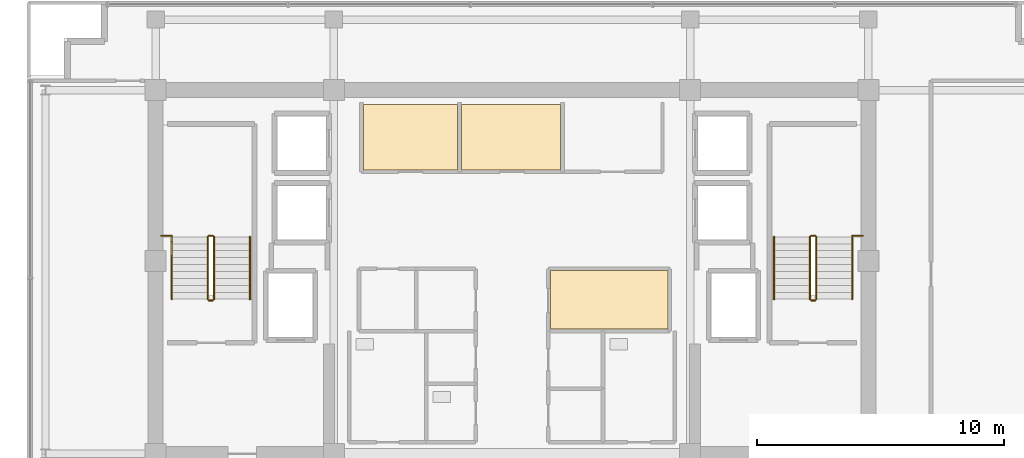
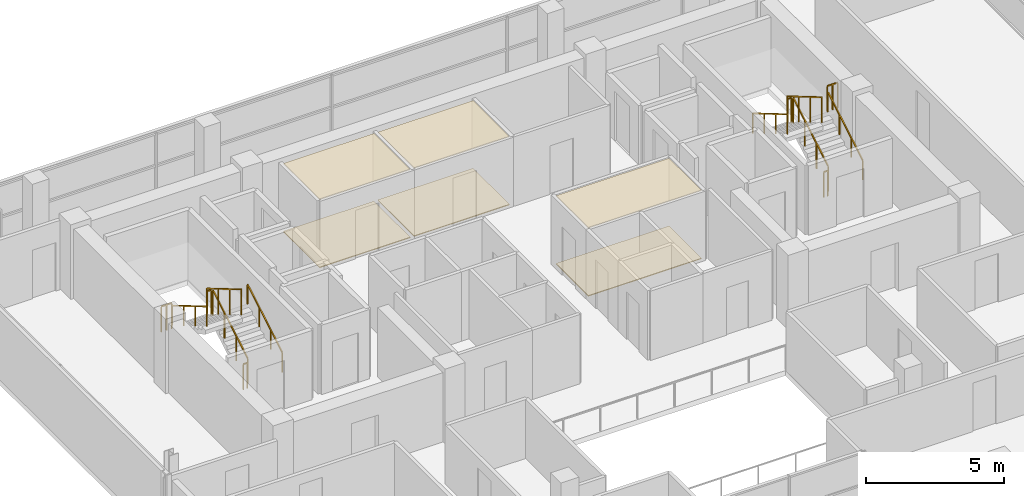
# One storey, part 20 of 21: 14 railings, 6 coverings.
"""IFC4 building model written with IfcOpenShell, lengths in metres."""

from ifc_helpers import new_model, si_unit, direction, frame, origin, origin_2d, place, context, subcontext, project, spatial, polyline, rectangle, outline, extrude, material, layer, layer_set, type_object, element, save


model = new_model("IFC4")

# Units and contexts
model_context = context("Model", 3, precision=1e-05, world=origin(), true_north=direction((0.0, 1.0)))
body_context = subcontext(model_context, "Body", "Model", "MODEL_VIEW")
ifc_project = project(units=[si_unit("LENGTHUNIT", "METRE"), si_unit("AREAUNIT", "SQUARE_METRE"), si_unit("VOLUMEUNIT", "CUBIC_METRE"), si_unit("PLANEANGLEUNIT", "RADIAN"), si_unit("MASSUNIT", "GRAM", prefix="KILO")], contexts=[model_context])

# Site, building, storey
site_placement = place(None, origin())
site = spatial("IfcSite", under=ifc_project, at=site_placement, CompositionType="ELEMENT")
building_placement = place(site_placement, origin())
building = spatial("IfcBuilding", under=site, at=building_placement, Name="Zarnakvel Exchange Tower", CompositionType="ELEMENT")
storey_placement = place(building_placement, frame((0.0, 0.0, 248.5)))
storey = spatial("IfcBuildingStorey", under=building, at=storey_placement, Name="L70", CompositionType="ELEMENT", Elevation=248.5)

# Coverings
ifc_material_1 = material(Name="Perforated Bronze Acoustic Metal Ceiling", Category="aluminium")
ifc_layer_1 = layer(ifc_material_1, 0.02001953125)
ifc_layer_set_1 = layer_set([ifc_layer_1], Name="Perforated Bronze Acoustic Metal Ceiling")
covering_type_1 = type_object("IfcCoveringType", Name="CLG-01", PredefinedType="CEILING", material=ifc_layer_set_1)
covering_1_placement = place(storey_placement, frame((0.0, 0.0, 3.014892578125)))
element("IfcCovering", 1, at=covering_1_placement, inside=storey, type_object=covering_type_1, Name="L70 Suspended Acoustic Ceiling (Clearing Records Office)", PredefinedType="CEILING", context=body_context, shape_type="SweptSolid", body=[
    extrude(outline(polyline([(-6.0, 12.919921875), (-2.199951171875, 12.919921875), (-2.199951171875, 10.280029296875), (-6.0, 10.280029296875), (-6.0, 12.919921875)])), origin(), (0.0, 0.0, 1.0), 0.02001953125),
])
covering_2_placement = place(storey_placement, frame((0.0, 0.0, 3.014892578125)))
element("IfcCovering", 2, at=covering_2_placement, inside=storey, type_object=covering_type_1, Name="L70 Suspended Acoustic Ceiling (Brokerage Filing Room)", PredefinedType="CEILING", context=body_context, shape_type="SweptSolid", body=[
    extrude(outline(polyline([(-2.0400390625, 12.919921875), (1.9599609375, 12.919921875), (1.9599609375, 10.280029296875), (-2.0400390625, 10.280029296875), (-2.0400390625, 12.919921875)])), origin(), (0.0, 0.0, 1.0), 0.02001953125),
])
covering_3_placement = place(storey_placement, frame((0.0, 0.0, 3.014892578125)))
element("IfcCovering", 3, at=covering_3_placement, inside=storey, type_object=covering_type_1, Name="L70 Suspended Acoustic Ceiling (Telemetry Server Suite)", PredefinedType="CEILING", context=body_context, shape_type="SweptSolid", body=[
    extrude(outline(polyline([(1.550048828125, 6.199951171875), (6.300048828125, 6.199951171875), (6.300048828125, 3.840087890625), (1.550048828125, 3.840087890625), (1.550048828125, 6.199951171875)])), origin(), (0.0, 0.0, 1.0), 0.02001953125),
])
ifc_material_2 = material(Name="Heavy-Duty Raised Access Floor Panel", Category="steel")
ifc_layer_2 = layer(ifc_material_2, 0.034912109375)
ifc_layer_set_2 = layer_set([ifc_layer_2], Name="Heavy-Duty Raised Access Floor Panel")
covering_type_2 = type_object("IfcCoveringType", Name="FLR-02", PredefinedType="FLOORING", material=ifc_layer_set_2)
covering_4_placement = place(storey_placement, origin())
element("IfcCovering", 4, at=covering_4_placement, inside=storey, type_object=covering_type_2, Name="L70 Floor Finish (Clearing Records Office)", PredefinedType="FLOORING", context=body_context, shape_type="SweptSolid", body=[
    extrude(outline(polyline([(-6.0, 12.919921875), (-2.199951171875, 12.919921875), (-2.199951171875, 10.280029296875), (-6.0, 10.280029296875), (-6.0, 12.919921875)])), origin(), (0.0, 0.0, 1.0), 0.034912109375),
])
covering_5_placement = place(storey_placement, origin())
element("IfcCovering", 5, at=covering_5_placement, inside=storey, type_object=covering_type_2, Name="L70 Floor Finish (Brokerage Filing Room)", PredefinedType="FLOORING", context=body_context, shape_type="SweptSolid", body=[
    extrude(outline(polyline([(-2.0400390625, 12.919921875), (1.9599609375, 12.919921875), (1.9599609375, 10.280029296875), (-2.0400390625, 10.280029296875), (-2.0400390625, 12.919921875)])), origin(), (0.0, 0.0, 1.0), 0.034912109375),
])
covering_6_placement = place(storey_placement, origin())
element("IfcCovering", 6, at=covering_6_placement, inside=storey, type_object=covering_type_2, Name="L70 Floor Finish (Telemetry Server Suite)", PredefinedType="FLOORING", context=body_context, shape_type="SweptSolid", body=[
    extrude(outline(polyline([(1.550048828125, 6.199951171875), (6.300048828125, 6.199951171875), (6.300048828125, 3.840087890625), (1.550048828125, 3.840087890625), (1.550048828125, 6.199951171875)])), origin(), (0.0, 0.0, 1.0), 0.034912109375),
])

# Railings
ifc_material_3 = material(Name="Brushed Stainless Steel", Category="steel")
railing_type_1 = type_object("IfcRailingType", Name="HR-01", PredefinedType="HANDRAIL", material=ifc_material_3)
railing_1_placement = place(storey_placement, frame((-10.590087890625, 5.050048828125, 0.1650390625)))
element("IfcRailing", 7, at=railing_1_placement, inside=storey, type_object=railing_type_1, Name="L70 ST-01 stair handrail 1", PredefinedType="HANDRAIL", context=body_context, shape_type="SweptSolid", body=[
    extrude(rectangle(XDim=0.048095703125, YDim=0.048095703125, at=origin_2d()), frame((0.0, 0.0, 0.8759765625), z_axis=(0.0, 0.861560626758, 0.507654692109), x_axis=(-1.0, 0.0, 0.0)), (0.0, 0.0, 1.0), 2.925048828125),
    extrude(rectangle(XDim=0.0419921875, YDim=0.0419921875, at=origin_2d()), origin(), (0.0, 0.0, 1.0), 0.851806640625),
    extrude(rectangle(XDim=0.0419921875, YDim=0.0419921875, at=origin_2d()), frame((0.0, 0.840087890625, 0.494873046875)), (0.0, 0.0, 1.0), 0.851806640625),
    extrude(rectangle(XDim=0.0419921875, YDim=0.0419921875, at=origin_2d()), frame((0.0, 1.679931640625, 0.989990234375)), (0.0, 0.0, 1.0), 0.851806640625),
    extrude(rectangle(XDim=0.0419921875, YDim=0.0419921875, at=origin_2d()), frame((0.0, 2.52001953125, 1.48486328125)), (0.0, 0.0, 1.0), 0.851806640625),
])
railing_2_placement = place(storey_placement, frame((-13.75, 7.570068359375, 1.81494140625)))
element("IfcRailing", 8, at=railing_2_placement, inside=storey, type_object=railing_type_1, Name="L70 ST-01 stair handrail 2", PredefinedType="HANDRAIL", context=body_context, shape_type="SweptSolid", body=[
    extrude(rectangle(XDim=0.048095703125, YDim=0.048095703125, at=origin_2d()), frame((0.0, 0.0, 0.8759765625), z_axis=(0.0, -0.86152411907, 0.507716645641), x_axis=(1.0, 0.0, 0.0)), (0.0, 0.0, 1.0), 2.925048828125),
    extrude(rectangle(XDim=0.0419921875, YDim=0.0419921875, at=origin_2d()), origin(), (0.0, 0.0, 1.0), 0.851806640625),
    extrude(rectangle(XDim=0.0419921875, YDim=0.0419921875, at=origin_2d()), frame((0.0, -0.840087890625, 0.4951171875)), (0.0, 0.0, 1.0), 0.851806640625),
    extrude(rectangle(XDim=0.0419921875, YDim=0.0419921875, at=origin_2d()), frame((0.0, -1.679931640625, 0.989990234375)), (0.0, 0.0, 1.0), 0.851806640625),
    extrude(rectangle(XDim=0.0419921875, YDim=0.0419921875, at=origin_2d()), frame((0.0, -2.52001953125, 1.485107421875)), (0.0, 0.0, 1.0), 0.851806640625),
])
railing_3_placement = place(storey_placement, frame((13.75, 5.050048828125, 0.1650390625)))
element("IfcRailing", 9, at=railing_3_placement, inside=storey, type_object=railing_type_1, Name="L70 ST-02 stair handrail 1", PredefinedType="HANDRAIL", context=body_context, shape_type="SweptSolid", body=[
    extrude(rectangle(XDim=0.048095703125, YDim=0.048095703125, at=origin_2d()), frame((0.0, 0.0, 0.8759765625), z_axis=(0.0, 0.861560626758, 0.507654692109), x_axis=(-1.0, 0.0, 0.0)), (0.0, 0.0, 1.0), 2.925048828125),
    extrude(rectangle(XDim=0.0419921875, YDim=0.0419921875, at=origin_2d()), origin(), (0.0, 0.0, 1.0), 0.851806640625),
    extrude(rectangle(XDim=0.0419921875, YDim=0.0419921875, at=origin_2d()), frame((0.0, 0.840087890625, 0.494873046875)), (0.0, 0.0, 1.0), 0.851806640625),
    extrude(rectangle(XDim=0.0419921875, YDim=0.0419921875, at=origin_2d()), frame((0.0, 1.679931640625, 0.989990234375)), (0.0, 0.0, 1.0), 0.851806640625),
    extrude(rectangle(XDim=0.0419921875, YDim=0.0419921875, at=origin_2d()), frame((0.0, 2.52001953125, 1.48486328125)), (0.0, 0.0, 1.0), 0.851806640625),
])
railing_4_placement = place(storey_placement, frame((10.590087890625, 7.570068359375, 1.81494140625)))
element("IfcRailing", 10, at=railing_4_placement, inside=storey, type_object=railing_type_1, Name="L70 ST-02 stair handrail 2", PredefinedType="HANDRAIL", context=body_context, shape_type="SweptSolid", body=[
    extrude(rectangle(XDim=0.048095703125, YDim=0.048095703125, at=origin_2d()), frame((0.0, 0.0, 0.8759765625), z_axis=(0.0, -0.86152411907, 0.507716645641), x_axis=(1.0, 0.0, 0.0)), (0.0, 0.0, 1.0), 2.925048828125),
    extrude(rectangle(XDim=0.0419921875, YDim=0.0419921875, at=origin_2d()), origin(), (0.0, 0.0, 1.0), 0.851806640625),
    extrude(rectangle(XDim=0.0419921875, YDim=0.0419921875, at=origin_2d()), frame((0.0, -0.840087890625, 0.4951171875)), (0.0, 0.0, 1.0), 0.851806640625),
    extrude(rectangle(XDim=0.0419921875, YDim=0.0419921875, at=origin_2d()), frame((0.0, -1.679931640625, 0.989990234375)), (0.0, 0.0, 1.0), 0.851806640625),
    extrude(rectangle(XDim=0.0419921875, YDim=0.0419921875, at=origin_2d()), frame((0.0, -2.52001953125, 1.485107421875)), (0.0, 0.0, 1.0), 0.851806640625),
])
ifc_material_4 = material(Name="Architectural Bronze Anodised Aluminium", Category="aluminium")
railing_type_2 = type_object("IfcRailingType", Name="SG-01", PredefinedType="GUARDRAIL", material=ifc_material_4)
railing_5_placement = place(storey_placement, frame((-12.0400390625, 5.050048828125, 0.1650390625)))
element("IfcRailing", 11, at=railing_5_placement, inside=storey, type_object=railing_type_2, Name="L70 ST-01 stair guard 1", PredefinedType="GUARDRAIL", context=body_context, shape_type="SweptSolid", body=[
    extrude(rectangle(XDim=0.048095703125, YDim=0.048095703125, at=origin_2d()), frame((0.0, 0.0, 1.1259765625), z_axis=(0.0, 0.861560626758, 0.507654692109), x_axis=(-1.0, 0.0, 0.0)), (0.0, 0.0, 1.0), 2.925048828125),
    extrude(rectangle(XDim=0.0419921875, YDim=0.0419921875, at=origin_2d()), origin(), (0.0, 0.0, 1.0), 1.101806640625),
    extrude(rectangle(XDim=0.0419921875, YDim=0.0419921875, at=origin_2d()), frame((0.0, 0.840087890625, 0.494873046875)), (0.0, 0.0, 1.0), 1.101806640625),
    extrude(rectangle(XDim=0.0419921875, YDim=0.0419921875, at=origin_2d()), frame((0.0, 1.679931640625, 0.989990234375)), (0.0, 0.0, 1.0), 1.101806640625),
    extrude(rectangle(XDim=0.0419921875, YDim=0.0419921875, at=origin_2d()), frame((0.0, 2.52001953125, 1.48486328125)), (0.0, 0.0, 1.0), 1.101806640625),
])
railing_6_placement = place(storey_placement, frame((-12.090087890625, 7.6201171875, 1.64990234375)))
element("IfcRailing", 12, at=railing_6_placement, inside=storey, type_object=railing_type_2, Name="L70 ST-01 stair guard 2", PredefinedType="GUARDRAIL", context=body_context, shape_type="SweptSolid", body=[
    extrude(rectangle(XDim=0.048095703125, YDim=0.048095703125, at=origin_2d()), frame((0.0, 0.0, 1.1259765625), z_axis=(-1.0, 0.0, 0.0), x_axis=(0.0, -1.0, 0.0)), (0.0, 0.0, 1.0), 0.159912109375),
    extrude(rectangle(XDim=0.0419921875, YDim=0.0419921875, at=origin_2d()), origin(), (0.0, 0.0, 1.0), 1.101806640625),
    extrude(rectangle(XDim=0.0419921875, YDim=0.0419921875, at=origin_2d()), frame((-0.159912109375, 0.0, 0.0)), (0.0, 0.0, 1.0), 1.101806640625),
])
railing_7_placement = place(storey_placement, frame((-12.300048828125, 7.570068359375, 1.81494140625)))
element("IfcRailing", 13, at=railing_7_placement, inside=storey, type_object=railing_type_2, Name="L70 ST-01 stair guard 3", PredefinedType="GUARDRAIL", context=body_context, shape_type="SweptSolid", body=[
    extrude(rectangle(XDim=0.048095703125, YDim=0.048095703125, at=origin_2d()), frame((0.0, 0.0, 1.1259765625), z_axis=(0.0, -0.86152411907, 0.507716645641), x_axis=(1.0, 0.0, 0.0)), (0.0, 0.0, 1.0), 2.925048828125),
    extrude(rectangle(XDim=0.0419921875, YDim=0.0419921875, at=origin_2d()), origin(), (0.0, 0.0, 1.0), 1.101806640625),
    extrude(rectangle(XDim=0.0419921875, YDim=0.0419921875, at=origin_2d()), frame((0.0, -0.840087890625, 0.4951171875)), (0.0, 0.0, 1.0), 1.101806640625),
    extrude(rectangle(XDim=0.0419921875, YDim=0.0419921875, at=origin_2d()), frame((0.0, -1.679931640625, 0.989990234375)), (0.0, 0.0, 1.0), 1.101806640625),
    extrude(rectangle(XDim=0.0419921875, YDim=0.0419921875, at=origin_2d()), frame((0.0, -2.52001953125, 1.485107421875)), (0.0, 0.0, 1.0), 1.101806640625),
])
railing_8_placement = place(storey_placement, frame((-12.090087890625, 5.0, 0.0)))
element("IfcRailing", 14, at=railing_8_placement, inside=storey, type_object=railing_type_2, Name="L70 ST-01 stair guard 4", PredefinedType="GUARDRAIL", context=body_context, shape_type="SweptSolid", body=[
    extrude(rectangle(XDim=0.048095703125, YDim=0.048095703125, at=origin_2d()), frame((0.0, 0.0, 1.1259765625), z_axis=(-1.0, 0.0, 0.0), x_axis=(0.0, -1.0, 0.0)), (0.0, 0.0, 1.0), 0.159912109375),
    extrude(rectangle(XDim=0.0419921875, YDim=0.0419921875, at=origin_2d()), origin(), (0.0, 0.0, 1.0), 1.101806640625),
    extrude(rectangle(XDim=0.0419921875, YDim=0.0419921875, at=origin_2d()), frame((-0.159912109375, 0.0, 0.0)), (0.0, 0.0, 1.0), 1.101806640625),
])
railing_9_placement = place(storey_placement, frame((-14.179931640625, 7.610107421875, 1.64990234375)))
element("IfcRailing", 15, at=railing_9_placement, inside=storey, type_object=railing_type_2, Name="L70 ST-01 Landing Slot Guardrail", PredefinedType="GUARDRAIL", context=body_context, shape_type="SweptSolid", body=[
    extrude(rectangle(XDim=0.048095703125, YDim=0.048095703125, at=origin_2d()), frame((0.0, 0.0, 1.1259765625), z_axis=(1.0, 0.0, 0.0), x_axis=(0.0, 1.0, 0.0)), (0.0, 0.0, 1.0), 0.429931640625),
    extrude(rectangle(XDim=0.0419921875, YDim=0.0419921875, at=origin_2d()), origin(), (0.0, 0.0, 1.0), 1.101806640625),
    extrude(rectangle(XDim=0.0419921875, YDim=0.0419921875, at=origin_2d()), frame((0.21484375, 0.0, 0.0)), (0.0, 0.0, 1.0), 1.101806640625),
    extrude(rectangle(XDim=0.0419921875, YDim=0.0419921875, at=origin_2d()), frame((0.429931640625, 0.0, 0.0)), (0.0, 0.0, 1.0), 1.101806640625),
])
railing_10_placement = place(storey_placement, frame((12.300048828125, 5.050048828125, 0.1650390625)))
element("IfcRailing", 16, at=railing_10_placement, inside=storey, type_object=railing_type_2, Name="L70 ST-02 stair guard 1", PredefinedType="GUARDRAIL", context=body_context, shape_type="SweptSolid", body=[
    extrude(rectangle(XDim=0.048095703125, YDim=0.048095703125, at=origin_2d()), frame((0.0, 0.0, 1.1259765625), z_axis=(0.0, 0.861560626758, 0.507654692109), x_axis=(-1.0, 0.0, 0.0)), (0.0, 0.0, 1.0), 2.925048828125),
    extrude(rectangle(XDim=0.0419921875, YDim=0.0419921875, at=origin_2d()), origin(), (0.0, 0.0, 1.0), 1.101806640625),
    extrude(rectangle(XDim=0.0419921875, YDim=0.0419921875, at=origin_2d()), frame((0.0, 0.840087890625, 0.494873046875)), (0.0, 0.0, 1.0), 1.101806640625),
    extrude(rectangle(XDim=0.0419921875, YDim=0.0419921875, at=origin_2d()), frame((0.0, 1.679931640625, 0.989990234375)), (0.0, 0.0, 1.0), 1.101806640625),
    extrude(rectangle(XDim=0.0419921875, YDim=0.0419921875, at=origin_2d()), frame((0.0, 2.52001953125, 1.48486328125)), (0.0, 0.0, 1.0), 1.101806640625),
])
railing_11_placement = place(storey_placement, frame((12.25, 7.6201171875, 1.64990234375)))
element("IfcRailing", 17, at=railing_11_placement, inside=storey, type_object=railing_type_2, Name="L70 ST-02 stair guard 2", PredefinedType="GUARDRAIL", context=body_context, shape_type="SweptSolid", body=[
    extrude(rectangle(XDim=0.048095703125, YDim=0.048095703125, at=origin_2d()), frame((0.0, 0.0, 1.1259765625), z_axis=(-1.0, 0.0, 0.0), x_axis=(0.0, -1.0, 0.0)), (0.0, 0.0, 1.0), 0.159912109375),
    extrude(rectangle(XDim=0.0419921875, YDim=0.0419921875, at=origin_2d()), origin(), (0.0, 0.0, 1.0), 1.101806640625),
    extrude(rectangle(XDim=0.0419921875, YDim=0.0419921875, at=origin_2d()), frame((-0.159912109375, 0.0, 0.0)), (0.0, 0.0, 1.0), 1.101806640625),
])
railing_12_placement = place(storey_placement, frame((12.0400390625, 7.570068359375, 1.81494140625)))
element("IfcRailing", 18, at=railing_12_placement, inside=storey, type_object=railing_type_2, Name="L70 ST-02 stair guard 3", PredefinedType="GUARDRAIL", context=body_context, shape_type="SweptSolid", body=[
    extrude(rectangle(XDim=0.048095703125, YDim=0.048095703125, at=origin_2d()), frame((0.0, 0.0, 1.1259765625), z_axis=(0.0, -0.86152411907, 0.507716645641), x_axis=(1.0, 0.0, 0.0)), (0.0, 0.0, 1.0), 2.925048828125),
    extrude(rectangle(XDim=0.0419921875, YDim=0.0419921875, at=origin_2d()), origin(), (0.0, 0.0, 1.0), 1.101806640625),
    extrude(rectangle(XDim=0.0419921875, YDim=0.0419921875, at=origin_2d()), frame((0.0, -0.840087890625, 0.4951171875)), (0.0, 0.0, 1.0), 1.101806640625),
    extrude(rectangle(XDim=0.0419921875, YDim=0.0419921875, at=origin_2d()), frame((0.0, -1.679931640625, 0.989990234375)), (0.0, 0.0, 1.0), 1.101806640625),
    extrude(rectangle(XDim=0.0419921875, YDim=0.0419921875, at=origin_2d()), frame((0.0, -2.52001953125, 1.485107421875)), (0.0, 0.0, 1.0), 1.101806640625),
])
railing_13_placement = place(storey_placement, frame((12.25, 5.0, 0.0)))
element("IfcRailing", 19, at=railing_13_placement, inside=storey, type_object=railing_type_2, Name="L70 ST-02 stair guard 4", PredefinedType="GUARDRAIL", context=body_context, shape_type="SweptSolid", body=[
    extrude(rectangle(XDim=0.048095703125, YDim=0.048095703125, at=origin_2d()), frame((0.0, 0.0, 1.1259765625), z_axis=(-1.0, 0.0, 0.0), x_axis=(0.0, -1.0, 0.0)), (0.0, 0.0, 1.0), 0.159912109375),
    extrude(rectangle(XDim=0.0419921875, YDim=0.0419921875, at=origin_2d()), origin(), (0.0, 0.0, 1.0), 1.101806640625),
    extrude(rectangle(XDim=0.0419921875, YDim=0.0419921875, at=origin_2d()), frame((-0.159912109375, 0.0, 0.0)), (0.0, 0.0, 1.0), 1.101806640625),
])
railing_14_placement = place(storey_placement, frame((13.75, 7.610107421875, 1.64990234375)))
element("IfcRailing", 20, at=railing_14_placement, inside=storey, type_object=railing_type_2, Name="L70 ST-02 Landing Slot Guardrail", PredefinedType="GUARDRAIL", context=body_context, shape_type="SweptSolid", body=[
    extrude(rectangle(XDim=0.048095703125, YDim=0.048095703125, at=origin_2d()), frame((0.0, 0.0, 1.1259765625), z_axis=(1.0, 0.0, 0.0), x_axis=(0.0, 1.0, 0.0)), (0.0, 0.0, 1.0), 0.429931640625),
    extrude(rectangle(XDim=0.0419921875, YDim=0.0419921875, at=origin_2d()), origin(), (0.0, 0.0, 1.0), 1.101806640625),
    extrude(rectangle(XDim=0.0419921875, YDim=0.0419921875, at=origin_2d()), frame((0.21484375, 0.0, 0.0)), (0.0, 0.0, 1.0), 1.101806640625),
    extrude(rectangle(XDim=0.0419921875, YDim=0.0419921875, at=origin_2d()), frame((0.429931640625, 0.0, 0.0)), (0.0, 0.0, 1.0), 1.101806640625),
])

save(model, "model.ifc")
